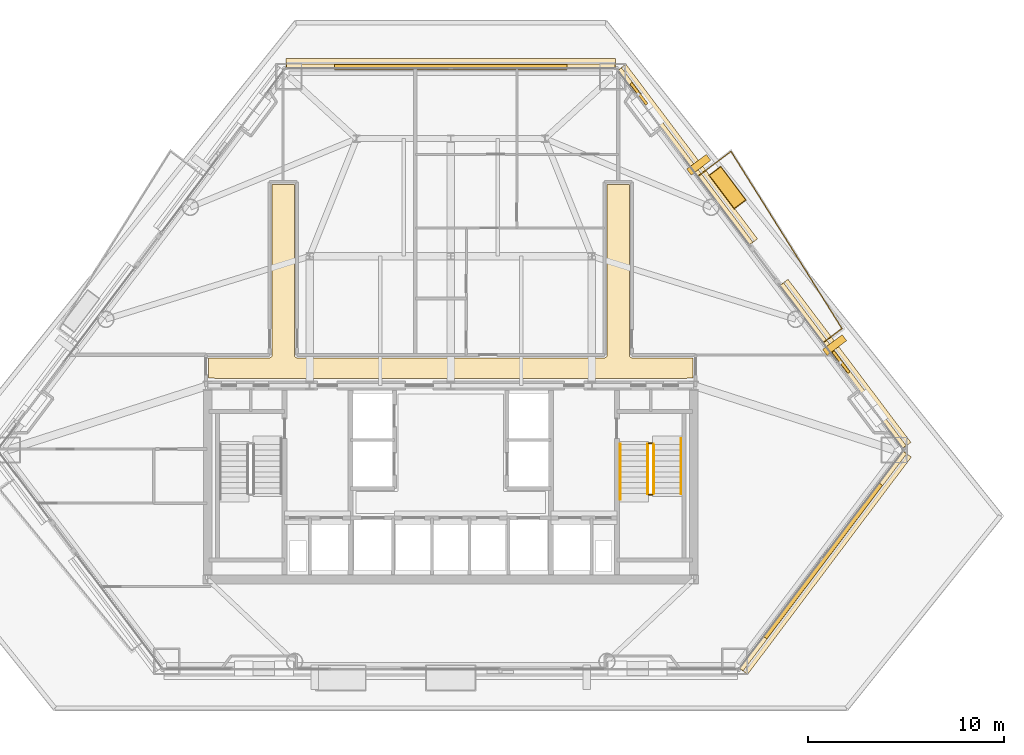
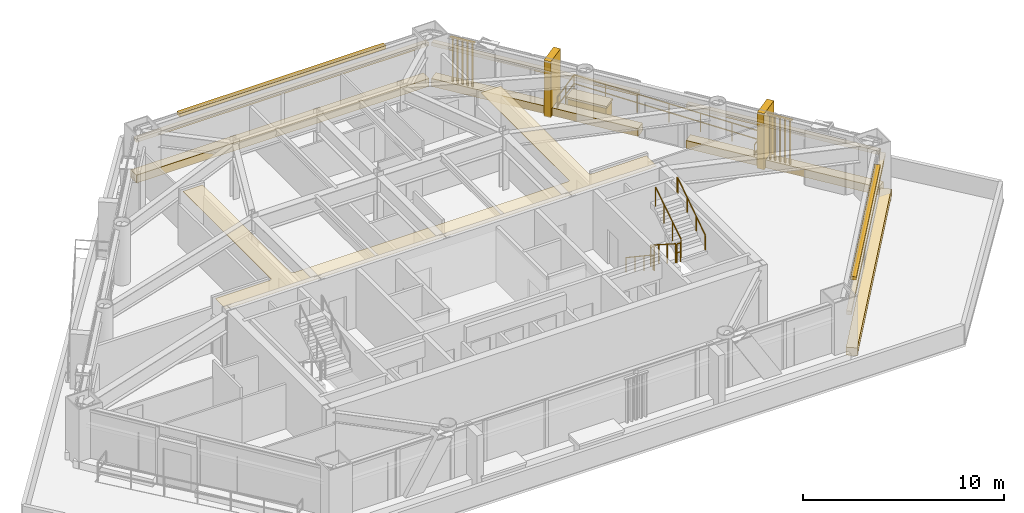
# One storey, part 13 of 13: 13 coverings, 7 railings, 4 shading devices.
"""IFC4 building model written with IfcOpenShell, lengths in metres."""

from ifc_helpers import new_model, si_unit, direction, frame, origin, origin_2d, place, context, subcontext, project, spatial, polyline, rectangle, outline, extrude, source, transform, mapped, material, layer, layer_set, type_object, type_shapes, element, save


model = new_model("IFC4")

# Units and contexts
model_context = context("Model", 3, precision=1e-05, world=origin(), true_north=direction((0.0, 1.0)))
body_context = subcontext(model_context, "Body", "Model", "MODEL_VIEW")
ifc_project = project(units=[si_unit("LENGTHUNIT", "METRE"), si_unit("AREAUNIT", "SQUARE_METRE"), si_unit("VOLUMEUNIT", "CUBIC_METRE"), si_unit("PLANEANGLEUNIT", "RADIAN"), si_unit("MASSUNIT", "GRAM", prefix="KILO")], contexts=[model_context])

# Site, building, storey
site_placement = place(None, origin())
site = spatial("IfcSite", under=ifc_project, at=site_placement, CompositionType="ELEMENT")
building_placement = place(site_placement, origin())
building = spatial("IfcBuilding", under=site, at=building_placement, Name="Talgorran Terracotta Tower", CompositionType="ELEMENT")
storey_placement = place(building_placement, frame((0.0, 0.0, 24.300048828125)))
storey = spatial("IfcBuildingStorey", under=building, at=storey_placement, Name="L05", CompositionType="ELEMENT", Elevation=24.300048828125)

# Coverings
ifc_material_1 = material(Name="Kiln-Fired Terracotta Ochre Ceramic", Category="masonry")
ifc_layer_1 = layer(ifc_material_1, 0.179931640625, Name="COV_BAGUETTE_TERRACOTTA_SCREEN")
ifc_layer_set_1 = layer_set([ifc_layer_1], Name="Kiln-Fired Terracotta Ochre Ceramic")
covering_type_1 = type_object("IfcCoveringType", Name="COV_BAGUETTE_TERRACOTTA_SCREEN", PredefinedType="CLADDING", material=ifc_layer_set_1)
covering_1_placement = place(storey_placement, frame((18.9912109375, -13.1455078125, 2.41015625), z_axis=(0.0, 0.0, 1.0), x_axis=(0.601815023152, 0.798635510047, 0.0)))
element("IfcCovering", 1, at=covering_1_placement, inside=storey, type_object=covering_type_1, Name="L05 Terracotta Baguette Solar Screen Assembly F2", PredefinedType="CLADDING", context=body_context, shape_type="SweptSolid", body=[
    extrude(rectangle(XDim=13.870849609375, YDim=0.260009765625, at=origin_2d()), origin(), (0.0, 0.0, 1.0), 0.219970703125),
])
covering_2_placement = place(storey_placement, frame((20.010986328125, -3.188720703125, 2.41015625), z_axis=(0.0, 0.0, 1.0), x_axis=(-0.601801084241, 0.798646013579, 0.0)))
element("IfcCovering", 2, at=covering_2_placement, inside=storey, type_object=covering_type_1, Name="L05 Terracotta Baguette Solar Screen Assembly F40", PredefinedType="CLADDING", context=body_context, shape_type="SweptSolid", body=[
    extrude(rectangle(XDim=10.401611328125, YDim=0.260009765625, at=origin_2d()), origin(), (0.0, 0.0, 1.0), 0.219970703125),
])
covering_3_placement = place(storey_placement, frame((11.962646484375, 7.491943359375, 2.41015625), z_axis=(0.0, 0.0, 1.0), x_axis=(-0.601815023152, 0.798635510047, 0.0)))
element("IfcCovering", 3, at=covering_3_placement, inside=storey, type_object=covering_type_1, Name="L05 Terracotta Baguette Solar Screen Assembly F41", PredefinedType="CLADDING", context=body_context, shape_type="SweptSolid", body=[
    extrude(rectangle(XDim=11.14599609375, YDim=0.260009765625, at=origin_2d()), origin(), (0.0, 0.0, 1.0), 0.219970703125),
])
covering_4_placement = place(storey_placement, frame((0.0, 12.0703125, 2.41015625), z_axis=(0.0, 0.0, 1.0), x_axis=(-1.0, 0.0, 0.0)))
element("IfcCovering", 4, at=covering_4_placement, inside=storey, type_object=covering_type_1, Name="L05 Terracotta Baguette Solar Screen Assembly F4", PredefinedType="CLADDING", context=body_context, shape_type="SweptSolid", body=[
    extrude(rectangle(XDim=16.78515625, YDim=0.260009765625, at=origin_2d()), origin(), (0.0, 0.0, 1.0), 0.219970703125),
])
ifc_material_2 = material(Name="Mineral Fibre Acoustic Tile")
ifc_layer_2 = layer(ifc_material_2, 0.02490234375, Name="COV_CEIL_ACOUSTIC")
ifc_layer_set_2 = layer_set([ifc_layer_2], Name="Mineral Fibre Acoustic Tile")
covering_type_2 = type_object("IfcCoveringType", Name="COV_CEIL_ACOUSTIC", PredefinedType="CEILING", material=ifc_layer_set_2)
covering_5_placement = place(storey_placement, frame((0.0, 0.0, 3.260009765625)))
element("IfcCovering", 5, at=covering_5_placement, inside=storey, type_object=covering_type_2, Name="CEIL-L05-2", PredefinedType="CEILING", context=body_context, shape_type="SweptSolid", body=[
    extrude(outline(polyline([(-12.364990234375, -2.784912109375), (-9.25, -2.784912109375), (-9.23828125, -2.784423828125), (-9.226806640625, -2.78271484375), (-9.21533203125, -2.77978515625), (-9.20703125, -2.77734375), (-9.196044921875, -2.7734375), (-9.185302734375, -2.768310546875), (-9.17529296875, -2.762451171875), (-9.165771484375, -2.75537109375), (-9.156982421875, -2.74755859375), (-9.149169921875, -2.73876953125), (-9.1435546875, -2.73193359375), (-9.136474609375, -2.722412109375), (-9.13037109375, -2.71240234375), (-9.125244140625, -2.70166015625), (-9.121337890625, -2.690673828125), (-9.118408203125, -2.67919921875), (-9.11669921875, -2.66748046875), (-9.1162109375, -2.65576171875), (-9.114990234375, 6.06494140625), (-7.985107421875, 6.06494140625), (-7.985107421875, -2.64990234375), (-7.984375, -2.66162109375), (-7.982666015625, -2.67333984375), (-7.97998046875, -2.6845703125), (-7.977294921875, -2.69287109375), (-7.973388671875, -2.7041015625), (-7.968505859375, -2.714599609375), (-7.96240234375, -2.724853515625), (-7.955322265625, -2.734375), (-7.947509765625, -2.742919921875), (-7.938720703125, -2.7509765625), (-7.931884765625, -2.756591796875), (-7.922607421875, -2.763671875), (-7.912353515625, -2.769775390625), (-7.901611328125, -2.774658203125), (-7.890625, -2.77880859375), (-7.879150390625, -2.781494140625), (-7.867431640625, -2.783203125), (-7.855712890625, -2.783935546875), (7.85009765625, -2.784912109375), (7.86181640625, -2.784423828125), (7.873291015625, -2.78271484375), (7.884521484375, -2.77978515625), (7.892822265625, -2.77734375), (7.904052734375, -2.7734375), (7.914794921875, -2.768310546875), (7.9248046875, -2.762451171875), (7.934326171875, -2.75537109375), (7.943115234375, -2.74755859375), (7.950927734375, -2.73876953125), (7.95654296875, -2.73193359375), (7.963623046875, -2.722412109375), (7.9697265625, -2.71240234375), (7.974609375, -2.70166015625), (7.978759765625, -2.690673828125), (7.981689453125, -2.67919921875), (7.9833984375, -2.66748046875), (7.98388671875, -2.65576171875), (7.985107421875, 6.06494140625), (9.114990234375, 6.06494140625), (9.114990234375, -2.64990234375), (9.115478515625, -2.66162109375), (9.1171875, -2.67333984375), (9.1201171875, -2.6845703125), (9.12255859375, -2.69287109375), (9.12646484375, -2.7041015625), (9.131591796875, -2.714599609375), (9.1376953125, -2.724853515625), (9.14453125, -2.734375), (9.152587890625, -2.742919921875), (9.1611328125, -2.7509765625), (9.16796875, -2.756591796875), (9.177490234375, -2.763671875), (9.1875, -2.769775390625), (9.1982421875, -2.774658203125), (9.20947265625, -2.77880859375), (9.220703125, -2.781494140625), (9.232421875, -2.783203125), (9.244384765625, -2.783935546875), (12.364990234375, -2.784912109375), (12.364990234375, -3.80908203125), (12.1201171875, -3.80908203125), (12.108154296875, -3.8095703125), (12.0966796875, -3.811279296875), (12.085205078125, -3.814208984375), (12.07421875, -3.818115234375), (12.0634765625, -3.8232421875), (12.05322265625, -3.8291015625), (12.0439453125, -3.836181640625), (12.03515625, -3.843994140625), (12.034423828125, -3.844970703125), (7.432861328125, -3.844970703125), (6.968017578125, -3.843017578125), (6.967529296875, -3.843017578125), (0.232666015625, -3.844970703125), (-0.23193359375, -3.843017578125), (-0.232421875, -3.843017578125), (-6.96728515625, -3.844970703125), (-7.431884765625, -3.843017578125), (-7.4326171875, -3.843017578125), (-12.034423828125, -3.844970703125), (-12.03515625, -3.843994140625), (-12.0439453125, -3.836181640625), (-12.05322265625, -3.8291015625), (-12.0634765625, -3.8232421875), (-12.07421875, -3.818115234375), (-12.085205078125, -3.814208984375), (-12.0966796875, -3.811279296875), (-12.108154296875, -3.8095703125), (-12.1201171875, -3.80908203125), (-12.364990234375, -3.80908203125), (-12.364990234375, -2.784912109375)])), origin(), (0.0, 0.0, 1.0), 0.02001953125),
])
ifc_material_3 = material(Name="Honed Limestone and Terracotta Planter", Category="masonry")
ifc_layer_3 = layer(ifc_material_3, 0.1201171875, Name="COV_PLANTER_BOX")
ifc_layer_set_3 = layer_set([ifc_layer_3], Name="Honed Limestone and Terracotta Planter")
covering_type_3 = type_object("IfcCoveringType", Name="COV_PLANTER_BOX", PredefinedType="CLADDING", material=ifc_layer_set_3)
covering_6_placement = place(storey_placement, frame((14.12548828125, 5.901123046875, -0.02001953125), z_axis=(0.0, 0.0, 1.0), x_axis=(-0.601815023152, 0.798635510047, 0.0)))
element("IfcCovering", 6, at=covering_6_placement, inside=storey, type_object=covering_type_3, Name="L05 Staggered Balcony Planter Box BAL-NE", PredefinedType="CLADDING", context=body_context, shape_type="SweptSolid", body=[
    extrude(rectangle(XDim=2.10009765625, YDim=0.719970703125, at=origin_2d()), origin(), (0.0, 0.0, 1.0), 0.860107421875),
])
ifc_material_4 = material(Name="Kiln-Fired Terracotta Planter Rim", Category="masonry")
ifc_layer_4 = layer(ifc_material_4, 0.10009765625, Name="COV_PLANTER_RIM")
ifc_layer_set_4 = layer_set([ifc_layer_4], Name="Kiln-Fired Terracotta Planter Rim")
covering_type_4 = type_object("IfcCoveringType", Name="COV_PLANTER_RIM", PredefinedType="CLADDING", material=ifc_layer_set_4)
covering_7_placement = place(storey_placement, frame((14.12548828125, 5.901123046875, 0.7998046875), z_axis=(0.0, 0.0, 1.0), x_axis=(-0.601815023152, 0.798635510047, 0.0)))
element("IfcCovering", 7, at=covering_7_placement, inside=storey, type_object=covering_type_4, Name="L05 Balcony Planter Terracotta Rim BAL-NE", PredefinedType="CLADDING", context=body_context, shape_type="SweptSolid", body=[
    extrude(rectangle(XDim=2.179931640625, YDim=0.780029296875, at=origin_2d()), origin(), (0.0, 0.0, 1.0), 0.1201171875),
])
ifc_material_5 = material(Name="Honed Limestone Cladding", Category="masonry")
ifc_layer_5 = layer(ifc_material_5, 0.094970703125, Name="COV_PORTAL_LIME")
ifc_layer_set_5 = layer_set([ifc_layer_5], Name="Honed Limestone Cladding")
covering_type_5 = type_object("IfcCoveringType", Name="COV_PORTAL_LIME", PredefinedType="CLADDING", material=ifc_layer_set_5)
covering_8_placement = place(storey_placement, frame((19.591064453125, -2.133056640625, -0.050048828125), z_axis=(0.0, 0.0, 1.0), x_axis=(-0.601815023152, 0.798635510047, 0.0)))
element("IfcCovering", 8, at=covering_8_placement, inside=storey, type_object=covering_type_5, Name="L05 White Striped Portal Fin F3-1", PredefinedType="CLADDING", context=body_context, shape_type="SweptSolid", body=[
    extrude(rectangle(XDim=0.3798828125, YDim=1.25, at=origin_2d()), origin(), (0.0, 0.0, 1.0), 3.39990234375),
])
ifc_material_6 = material(Name="Kiln-Fired Terracotta Cladding", Category="masonry")
ifc_layer_6 = layer(ifc_material_6, 0.090087890625, Name="COV_PORTAL_TERRA")
ifc_layer_set_6 = layer_set([ifc_layer_6], Name="Kiln-Fired Terracotta Cladding")
covering_type_6 = type_object("IfcCoveringType", Name="COV_PORTAL_TERRA", PredefinedType="CLADDING", material=ifc_layer_set_6)
covering_9_placement = place(storey_placement, frame((19.10302734375, -13.2294921875, -0.0400390625), z_axis=(0.0, 0.0, 1.0), x_axis=(0.601815023152, 0.798635510047, 0.0)))
element("IfcCovering", 9, at=covering_9_placement, inside=storey, type_object=covering_type_6, Name="L05 Striped Postmodern Portal Cladding Band F2", PredefinedType="CLADDING", context=body_context, shape_type="SweptSolid", body=[
    extrude(rectangle(XDim=13.890869140625, YDim=0.56005859375, at=origin_2d()), origin(), (0.0, 0.0, 1.0), 0.47998046875),
])
covering_10_placement = place(storey_placement, frame((20.122802734375, -3.1044921875, -0.0400390625), z_axis=(0.0, 0.0, 1.0), x_axis=(-0.601801084241, 0.798646013579, 0.0)))
element("IfcCovering", 10, at=covering_10_placement, inside=storey, type_object=covering_type_6, Name="L05 Striped Postmodern Portal Cladding Band F40", PredefinedType="CLADDING", context=body_context, shape_type="SweptSolid", body=[
    extrude(rectangle(XDim=10.421630859375, YDim=0.56005859375, at=origin_2d()), origin(), (0.0, 0.0, 1.0), 0.47998046875),
])
covering_11_placement = place(storey_placement, frame((12.074462890625, 7.576171875, -0.0400390625), z_axis=(0.0, 0.0, 1.0), x_axis=(-0.601815023152, 0.798635510047, 0.0)))
element("IfcCovering", 11, at=covering_11_placement, inside=storey, type_object=covering_type_6, Name="L05 Striped Postmodern Portal Cladding Band F41", PredefinedType="CLADDING", context=body_context, shape_type="SweptSolid", body=[
    extrude(rectangle(XDim=11.166015625, YDim=0.56005859375, at=origin_2d()), origin(), (0.0, 0.0, 1.0), 0.47998046875),
])
covering_12_placement = place(storey_placement, frame((0.0, 12.21044921875, -0.0400390625), z_axis=(0.0, 0.0, 1.0), x_axis=(-1.0, 0.0, 0.0)))
element("IfcCovering", 12, at=covering_12_placement, inside=storey, type_object=covering_type_6, Name="L05 Striped Postmodern Portal Cladding Band F4", PredefinedType="CLADDING", context=body_context, shape_type="SweptSolid", body=[
    extrude(rectangle(XDim=16.80517578125, YDim=0.56005859375, at=origin_2d()), origin(), (0.0, 0.0, 1.0), 0.47998046875),
])
covering_13_placement = place(storey_placement, frame((12.656005859375, 7.070068359375, -0.050048828125), z_axis=(0.0, 0.0, 1.0), x_axis=(-0.601815023152, 0.798635510047, 0.0)))
element("IfcCovering", 13, at=covering_13_placement, inside=storey, type_object=covering_type_6, Name="L05 Terracotta Striped Portal Fin F3-2", PredefinedType="CLADDING", context=body_context, shape_type="SweptSolid", body=[
    extrude(rectangle(XDim=0.3798828125, YDim=1.25, at=origin_2d()), origin(), (0.0, 0.0, 1.0), 3.39990234375),
])

# Railings
ifc_material_7 = material(Name="Laminated Glass and Stainless Steel 316", Category="steel")
railing_type_1 = type_object("IfcRailingType", Name="RL_BALCONY_1150", PredefinedType="BALUSTRADE", material=ifc_material_7)
railing_1_placement = place(storey_placement, frame((19.01806640625, -2.004150390625, 0.0)))
element("IfcRailing", 14, at=railing_1_placement, inside=storey, type_object=railing_type_1, Name="RL-L05-BAL-BAL-NE", PredefinedType="BALUSTRADE", context=body_context, shape_type="SweptSolid", body=[
    extrude(rectangle(XDim=0.048095703125, YDim=0.048095703125, at=origin_2d()), frame((0.0, 0.0, 1.1259765625), z_axis=(0.798616132911, 0.601840736619, 0.0), x_axis=(-0.601840736619, 0.798616132911, 0.0)), (0.0, 0.0, 1.0), 1.187255859375),
    extrude(rectangle(XDim=0.048095703125, YDim=0.048095703125, at=origin_2d()), frame((0.0, 0.0, 0.597900390625), z_axis=(0.798616132911, 0.601840736619, 0.0), x_axis=(-0.601840736619, 0.798616132911, 0.0)), (0.0, 0.0, 1.0), 1.187255859375),
    extrude(rectangle(XDim=0.048095703125, YDim=0.048095703125, at=origin_2d()), frame((0.9482421875, 0.714599609375, 1.1259765625), z_axis=(-0.531055976515, 0.847336739324, 0.0), x_axis=(-0.847336739324, -0.531055976515, 0.0)), (0.0, 0.0, 1.0), 10.6669921875),
    extrude(rectangle(XDim=0.048095703125, YDim=0.048095703125, at=origin_2d()), frame((0.9482421875, 0.714599609375, 0.597900390625), z_axis=(-0.531055976515, 0.847336739324, 0.0), x_axis=(-0.847336739324, -0.531055976515, 0.0)), (0.0, 0.0, 1.0), 10.6669921875),
    extrude(rectangle(XDim=0.048095703125, YDim=0.048095703125, at=origin_2d()), frame((-4.716552734375, 9.753173828125, 1.1259765625), z_axis=(-0.798674476076, -0.601763310002, 0.0), x_axis=(0.601763310002, -0.798674476076, 0.0)), (0.0, 0.0, 1.0), 2.102783203125),
    extrude(rectangle(XDim=0.048095703125, YDim=0.048095703125, at=origin_2d()), frame((-4.716552734375, 9.753173828125, 0.597900390625), z_axis=(-0.798674476076, -0.601763310002, 0.0), x_axis=(0.601763310002, -0.798674476076, 0.0)), (0.0, 0.0, 1.0), 2.102783203125),
    extrude(rectangle(XDim=0.0419921875, YDim=0.0419921875, at=origin_2d()), origin(), (0.0, 0.0, 1.0), 1.101806640625),
    extrude(rectangle(XDim=0.0419921875, YDim=0.0419921875, at=origin_2d()), frame((0.9482421875, 0.714599609375, 0.0)), (0.0, 0.0, 1.0), 1.101806640625),
    extrude(rectangle(XDim=0.0419921875, YDim=0.0419921875, at=origin_2d()), frame((0.004150390625, 2.220947265625, 0.0)), (0.0, 0.0, 1.0), 1.101806640625),
    extrude(rectangle(XDim=0.0419921875, YDim=0.0419921875, at=origin_2d()), frame((-0.93994140625, 3.7275390625, 0.0)), (0.0, 0.0, 1.0), 1.101806640625),
    extrude(rectangle(XDim=0.0419921875, YDim=0.0419921875, at=origin_2d()), frame((-1.88427734375, 5.23388671875, 0.0)), (0.0, 0.0, 1.0), 1.101806640625),
    extrude(rectangle(XDim=0.0419921875, YDim=0.0419921875, at=origin_2d()), frame((-2.828369140625, 6.740234375, 0.0)), (0.0, 0.0, 1.0), 1.101806640625),
    extrude(rectangle(XDim=0.0419921875, YDim=0.0419921875, at=origin_2d()), frame((-3.7724609375, 8.246826171875, 0.0)), (0.0, 0.0, 1.0), 1.101806640625),
    extrude(rectangle(XDim=0.0419921875, YDim=0.0419921875, at=origin_2d()), frame((-4.716552734375, 9.753173828125, 0.0)), (0.0, 0.0, 1.0), 1.101806640625),
    extrude(rectangle(XDim=0.0419921875, YDim=0.0419921875, at=origin_2d()), frame((-5.55615234375, 9.12060546875, 0.0)), (0.0, 0.0, 1.0), 1.101806640625),
    extrude(rectangle(XDim=0.0419921875, YDim=0.0419921875, at=origin_2d()), frame((-6.39599609375, 8.48779296875, 0.0)), (0.0, 0.0, 1.0), 1.101806640625),
])
ifc_material_8 = material(Name="Steel S355 (300PLUS)", Category="steel")
railing_type_2 = type_object("IfcRailingType", Name="RL_HANDRAIL_920", PredefinedType="HANDRAIL", material=ifc_material_8)
railing_2_placement = place(storey_placement, frame((8.64990234375, -7.199951171875, 0.179931640625)))
element("IfcRailing", 15, at=railing_2_placement, inside=storey, type_object=railing_type_2, Name="L05 ST-02 stair handrail 1", PredefinedType="HANDRAIL", context=body_context, shape_type="SweptSolid", body=[
    extrude(rectangle(XDim=0.048095703125, YDim=0.048095703125, at=origin_2d()), frame((0.0, 0.0, 0.89599609375), z_axis=(0.0, -0.832038719335, 0.554717558338), x_axis=(1.0, 0.0, 0.0)), (0.0, 0.0, 1.0), 3.244873046875),
    extrude(rectangle(XDim=0.048095703125, YDim=0.048095703125, at=origin_2d()), frame((0.0, -2.699951171875, 2.69580078125), z_axis=(0.0, -1.0, 0.0), x_axis=(1.0, 0.0, 0.0)), (0.0, 0.0, 1.0), 0.1201171875),
    extrude(rectangle(XDim=0.0419921875, YDim=0.0419921875, at=origin_2d()), origin(), (0.0, 0.0, 1.0), 0.871826171875),
    extrude(rectangle(XDim=0.0419921875, YDim=0.0419921875, at=origin_2d()), frame((0.0, -0.89990234375, 0.60009765625)), (0.0, 0.0, 1.0), 0.871826171875),
    extrude(rectangle(XDim=0.0419921875, YDim=0.0419921875, at=origin_2d()), frame((0.0, -1.800048828125, 1.199951171875)), (0.0, 0.0, 1.0), 0.871826171875),
    extrude(rectangle(XDim=0.0419921875, YDim=0.0419921875, at=origin_2d()), frame((0.0, -2.699951171875, 1.800048828125)), (0.0, 0.0, 1.0), 0.871826171875),
    extrude(rectangle(XDim=0.0419921875, YDim=0.0419921875, at=origin_2d()), frame((0.0, -2.820068359375, 1.800048828125)), (0.0, 0.0, 1.0), 0.871826171875),
])
railing_3_placement = place(storey_placement, frame((11.75, -9.719970703125, 1.97998046875)))
element("IfcRailing", 16, at=railing_3_placement, inside=storey, type_object=railing_type_2, Name="L05 ST-02 stair handrail 2", PredefinedType="HANDRAIL", context=body_context, shape_type="SweptSolid", body=[
    extrude(rectangle(XDim=0.048095703125, YDim=0.048095703125, at=origin_2d()), frame((0.0, 0.0, 0.89599609375), z_axis=(0.0, 0.832038719335, 0.554717558338), x_axis=(-1.0, 0.0, 0.0)), (0.0, 0.0, 1.0), 3.244873046875),
    extrude(rectangle(XDim=0.048095703125, YDim=0.048095703125, at=origin_2d()), frame((0.0, 2.699951171875, 2.69580078125), z_axis=(0.0, 1.0, 0.0), x_axis=(-1.0, 0.0, 0.0)), (0.0, 0.0, 1.0), 0.1201171875),
    extrude(rectangle(XDim=0.0419921875, YDim=0.0419921875, at=origin_2d()), origin(), (0.0, 0.0, 1.0), 0.871826171875),
    extrude(rectangle(XDim=0.0419921875, YDim=0.0419921875, at=origin_2d()), frame((0.0, 0.89990234375, 0.60009765625)), (0.0, 0.0, 1.0), 0.871826171875),
    extrude(rectangle(XDim=0.0419921875, YDim=0.0419921875, at=origin_2d()), frame((0.0, 1.800048828125, 1.199951171875)), (0.0, 0.0, 1.0), 0.871826171875),
    extrude(rectangle(XDim=0.0419921875, YDim=0.0419921875, at=origin_2d()), frame((0.0, 2.699951171875, 1.800048828125)), (0.0, 0.0, 1.0), 0.871826171875),
    extrude(rectangle(XDim=0.0419921875, YDim=0.0419921875, at=origin_2d()), frame((0.0, 2.820068359375, 1.800048828125)), (0.0, 0.0, 1.0), 0.871826171875),
])
railing_type_3 = type_object("IfcRailingType", Name="RL_STAIR_GUARD", PredefinedType="GUARDRAIL", material=ifc_material_8)
railing_4_placement = place(storey_placement, frame((10.050048828125, -7.199951171875, 0.179931640625)))
element("IfcRailing", 17, at=railing_4_placement, inside=storey, type_object=railing_type_3, Name="L05 ST-02 stair guard 1", PredefinedType="GUARDRAIL", context=body_context, shape_type="SweptSolid", body=[
    extrude(rectangle(XDim=0.048095703125, YDim=0.048095703125, at=origin_2d()), frame((0.0, 0.0, 1.15576171875), z_axis=(0.0, -0.841162588446, 0.540782303519), x_axis=(1.0, 0.0, 0.0)), (0.0, 0.0, 1.0), 2.995849609375),
    extrude(rectangle(XDim=0.0419921875, YDim=0.0419921875, at=origin_2d()), origin(), (0.0, 0.0, 1.0), 1.1318359375),
    extrude(rectangle(XDim=0.0419921875, YDim=0.0419921875, at=origin_2d()), frame((0.0, -0.840087890625, 0.5400390625)), (0.0, 0.0, 1.0), 1.1318359375),
    extrude(rectangle(XDim=0.0419921875, YDim=0.0419921875, at=origin_2d()), frame((0.0, -1.679931640625, 1.080078125)), (0.0, 0.0, 1.0), 1.1318359375),
    extrude(rectangle(XDim=0.0419921875, YDim=0.0419921875, at=origin_2d()), frame((0.0, -2.52001953125, 1.6201171875)), (0.0, 0.0, 1.0), 1.1318359375),
])
railing_5_placement = place(storey_placement, frame((10.10009765625, -9.77001953125, 1.800048828125)))
element("IfcRailing", 18, at=railing_5_placement, inside=storey, type_object=railing_type_3, Name="L05 ST-02 stair guard 2", PredefinedType="GUARDRAIL", context=body_context, shape_type="SweptSolid", body=[
    extrude(rectangle(XDim=0.048095703125, YDim=0.048095703125, at=origin_2d()), frame((0.0, 0.0, 1.15576171875), z_axis=(1.0, 0.0, 0.0), x_axis=(0.0, 1.0, 0.0)), (0.0, 0.0, 1.0), 0.199951171875),
    extrude(rectangle(XDim=0.048095703125, YDim=0.048095703125, at=origin_2d()), frame((0.0, 0.0, 0.613525390625), z_axis=(1.0, 0.0, 0.0), x_axis=(0.0, 1.0, 0.0)), (0.0, 0.0, 1.0), 0.199951171875),
    extrude(rectangle(XDim=0.0419921875, YDim=0.0419921875, at=origin_2d()), origin(), (0.0, 0.0, 1.0), 1.1318359375),
    extrude(rectangle(XDim=0.0419921875, YDim=0.0419921875, at=origin_2d()), frame((0.199951171875, 0.0, 0.0)), (0.0, 0.0, 1.0), 1.1318359375),
])
railing_6_placement = place(storey_placement, frame((10.35009765625, -9.719970703125, 1.97998046875)))
element("IfcRailing", 19, at=railing_6_placement, inside=storey, type_object=railing_type_3, Name="L05 ST-02 stair guard 3", PredefinedType="GUARDRAIL", context=body_context, shape_type="SweptSolid", body=[
    extrude(rectangle(XDim=0.048095703125, YDim=0.048095703125, at=origin_2d()), frame((0.0, 0.0, 1.15576171875), z_axis=(0.0, 0.841199657755, 0.540724639528), x_axis=(-1.0, 0.0, 0.0)), (0.0, 0.0, 1.0), 2.995849609375),
    extrude(rectangle(XDim=0.0419921875, YDim=0.0419921875, at=origin_2d()), origin(), (0.0, 0.0, 1.0), 1.1318359375),
    extrude(rectangle(XDim=0.0419921875, YDim=0.0419921875, at=origin_2d()), frame((0.0, 0.840087890625, 0.5400390625)), (0.0, 0.0, 1.0), 1.1318359375),
    extrude(rectangle(XDim=0.0419921875, YDim=0.0419921875, at=origin_2d()), frame((0.0, 1.679931640625, 1.079833984375)), (0.0, 0.0, 1.0), 1.1318359375),
    extrude(rectangle(XDim=0.0419921875, YDim=0.0419921875, at=origin_2d()), frame((0.0, 2.52001953125, 1.619873046875)), (0.0, 0.0, 1.0), 1.1318359375),
])
railing_7_placement = place(storey_placement, frame((10.10009765625, -7.14990234375, 0.0)))
element("IfcRailing", 20, at=railing_7_placement, inside=storey, type_object=railing_type_3, Name="L05 ST-02 stair guard 4", PredefinedType="GUARDRAIL", context=body_context, shape_type="SweptSolid", body=[
    extrude(rectangle(XDim=0.048095703125, YDim=0.048095703125, at=origin_2d()), frame((0.0, 0.0, 1.15576171875), z_axis=(1.0, 0.0, 0.0), x_axis=(0.0, 1.0, 0.0)), (0.0, 0.0, 1.0), 0.199951171875),
    extrude(rectangle(XDim=0.048095703125, YDim=0.048095703125, at=origin_2d()), frame((0.0, 0.0, 0.613525390625), z_axis=(1.0, 0.0, 0.0), x_axis=(0.0, 1.0, 0.0)), (0.0, 0.0, 1.0), 0.199951171875),
    extrude(rectangle(XDim=0.0419921875, YDim=0.0419921875, at=origin_2d()), origin(), (0.0, 0.0, 1.0), 1.1318359375),
    extrude(rectangle(XDim=0.0419921875, YDim=0.0419921875, at=origin_2d()), frame((0.199951171875, 0.0, 0.0)), (0.0, 0.0, 1.0), 1.1318359375),
])

# Shading devices
ifc_material_9 = material(Name="Kiln-Fired Terracotta", Category="masonry")
ifc_layer_7 = layer(ifc_material_9, 0.139892578125, Name="SHD_BAGUETTE_TERRA")
ifc_layer_set_7 = layer_set([ifc_layer_7], Name="Kiln-Fired Terracotta")
shading_device_type_1 = type_object("IfcShadingDeviceType", Name="SHD_BAGUETTE_TERRA", PredefinedType="JALOUSIE", material=ifc_layer_set_7)
shared_shape_1 = source(origin(), body_context, "Body", "SweptSolid", [
    extrude(rectangle(XDim=1.35009765625, YDim=0.139892578125, at=origin_2d()), origin(), (0.0, 0.0, 1.0), 0.054931640625),
    extrude(rectangle(XDim=1.35009765625, YDim=0.139892578125, at=origin_2d()), frame((0.0, 0.0, 2.7451171875)), (0.0, 0.0, 1.0), 0.054931640625),
    extrude(rectangle(XDim=0.074951171875, YDim=0.139892578125, at=origin_2d()), frame((-0.53515625, 0.0, 0.054931640625), z_axis=(0.0, 0.0, 1.0), x_axis=(0.866025403784, 0.5, 0.0)), (0.0, 0.0, 1.0), 2.690185546875),
    extrude(rectangle(XDim=0.074951171875, YDim=0.139892578125, at=origin_2d()), frame((-0.267578125, 0.0, 0.054931640625), z_axis=(0.0, 0.0, 1.0), x_axis=(0.866025403784, 0.5, 0.0)), (0.0, 0.0, 1.0), 2.690185546875),
    extrude(rectangle(XDim=0.074951171875, YDim=0.139892578125, at=origin_2d()), frame((0.0, 0.0, 0.054931640625), z_axis=(0.0, 0.0, 1.0), x_axis=(0.866025403784, 0.5, 0.0)), (0.0, 0.0, 1.0), 2.690185546875),
    extrude(rectangle(XDim=0.074951171875, YDim=0.139892578125, at=origin_2d()), frame((0.267578125, 0.0, 0.054931640625), z_axis=(0.0, 0.0, 1.0), x_axis=(0.866025403784, 0.5, 0.0)), (0.0, 0.0, 1.0), 2.690185546875),
    extrude(rectangle(XDim=0.074951171875, YDim=0.139892578125, at=origin_2d()), frame((0.53515625, 0.0, 0.054931640625), z_axis=(0.0, 0.0, 1.0), x_axis=(0.866025403784, 0.5, 0.0)), (0.0, 0.0, 1.0), 2.690185546875),
])
type_shapes(shading_device_type_1, [shared_shape_1])
for number, where, z_axis, x_axis, name in (
    (21, (19.920654296875, -3.00244140625, 0.35009765625), (0.0, 0.0, 1.0), (-0.601801084241, 0.798646013579, 0.0), "BAG-L05-F40"),
    (22, (9.603271484375, 10.689208984375, 0.35009765625), (0.0, 0.0, 1.0), (-0.601815023152, 0.798635510047, 0.0), "BAG-L05-F41"),
):
    element("IfcShadingDevice", number, at=place(storey_placement, frame(where, z_axis=z_axis, x_axis=x_axis)), inside=storey, type_object=shading_device_type_1, Name=name, PredefinedType="JALOUSIE", context=body_context, shape_type="MappedRepresentation", body=[
        mapped(shared_shape_1, transform((0.0, 0.0, 0.0), scale=1.0)),
    ])
ifc_layer_8 = layer(ifc_material_9, 0.280029296875, Name="SHD_SUNSHADE_TERRA")
ifc_layer_set_8 = layer_set([ifc_layer_8], Name="Kiln-Fired Terracotta")
shading_device_type_2 = type_object("IfcShadingDeviceType", Name="SHD_SUNSHADE_TERRA", PredefinedType="AWNING", material=ifc_layer_set_8)
shared_shape_2 = source(origin(), body_context, "Body", "SweptSolid", [
    extrude(rectangle(XDim=9.8076171875, YDim=0.280029296875, at=origin_2d()), origin(), (0.0, 0.0, 1.0), 0.199951171875),
])
shading_device_1_placement = place(storey_placement, frame((18.97509765625, -13.13330078125, 3.10986328125), z_axis=(0.0, 0.0, 1.0), x_axis=(0.601815023152, 0.798635510047, 0.0)))
element("IfcShadingDevice", 23, at=shading_device_1_placement, inside=storey, type_object=shading_device_type_2, Name="SHD-BROW-L05-F2", PredefinedType="AWNING", context=body_context, shape_type="MappedRepresentation", body=[
    mapped(shared_shape_2, transform((0.0, 0.0, 0.0), scale=1.0)),
])
shared_shape_3 = source(origin(), body_context, "Body", "SweptSolid", [
    extrude(rectangle(XDim=11.84765625, YDim=0.280029296875, at=origin_2d()), origin(), (0.0, 0.0, 1.0), 0.199951171875),
])
type_shapes(shading_device_type_2, [shared_shape_2, shared_shape_3])
shading_device_2_placement = place(storey_placement, frame((0.0, 12.05029296875, 3.10986328125), z_axis=(0.0, 0.0, 1.0), x_axis=(-1.0, 0.0, 0.0)))
element("IfcShadingDevice", 24, at=shading_device_2_placement, inside=storey, type_object=shading_device_type_2, Name="SHD-BROW-L05-F4", PredefinedType="AWNING", context=body_context, shape_type="MappedRepresentation", body=[
    mapped(shared_shape_3, transform((0.0, 0.0, 0.0), scale=1.0)),
])

save(model, "model.ifc")
